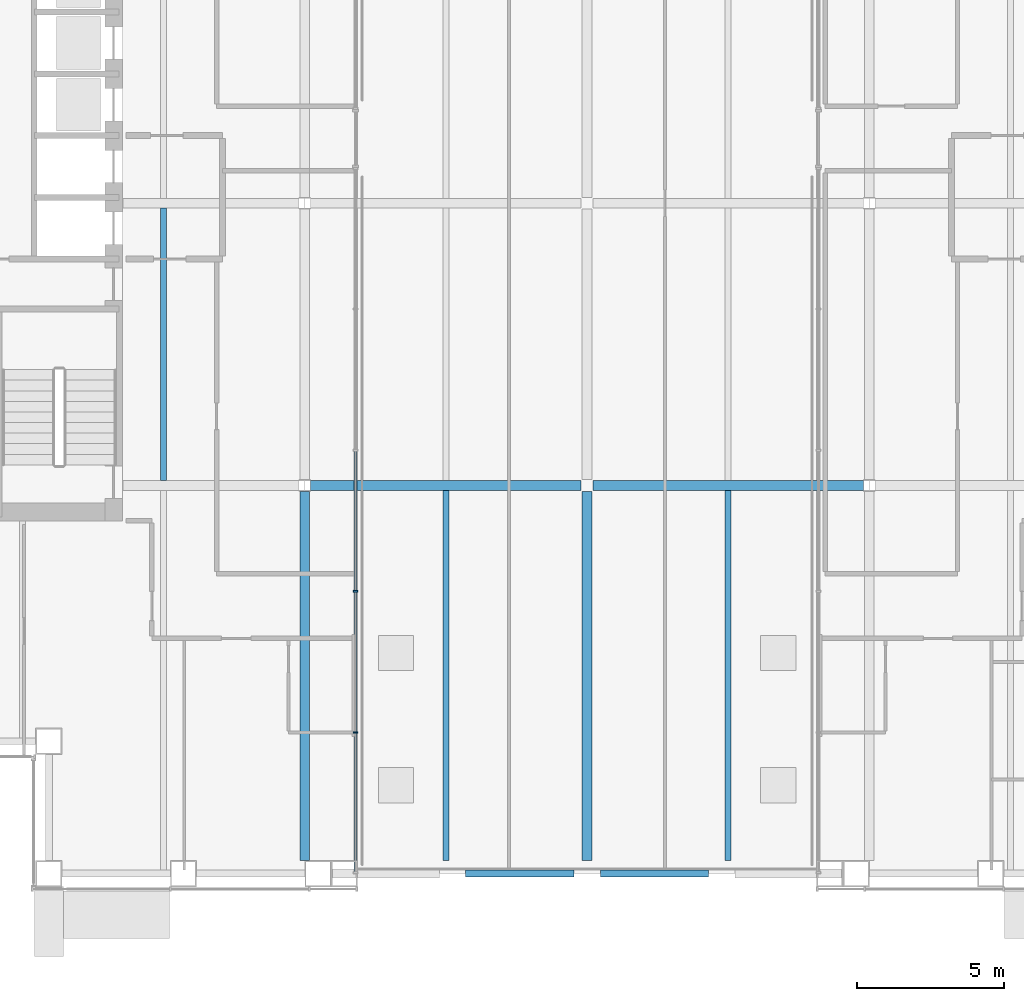
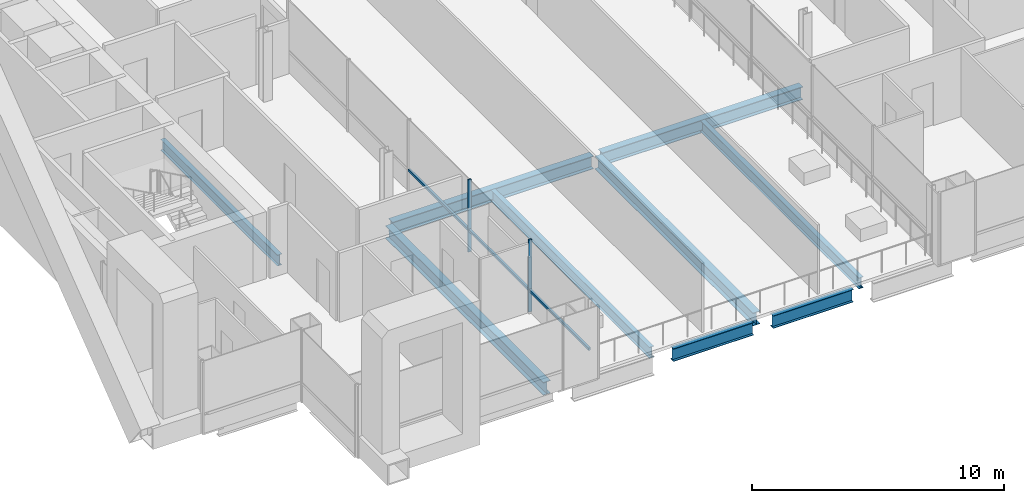
# One storey, part 3 of 20: 9 beams, 5 members, 1 element without a shape of its own.
"""IFC4 building model written with IfcOpenShell, lengths in metres."""

from ifc_helpers import new_model, si_unit, direction, frame, origin, origin_2d, place, context, subcontext, project, spatial, rectangle, i_section, extrude, material, material_profile, profile_set, type_object, element, aggregate, save


model = new_model("IFC4")

# Units and contexts
model_context = context("Model", 3, precision=1e-05, world=origin(), true_north=direction((0.0, 1.0)))
body_context = subcontext(model_context, "Body", "Model", "MODEL_VIEW")
ifc_project = project(units=[si_unit("LENGTHUNIT", "METRE"), si_unit("AREAUNIT", "SQUARE_METRE"), si_unit("VOLUMEUNIT", "CUBIC_METRE"), si_unit("PLANEANGLEUNIT", "RADIAN"), si_unit("MASSUNIT", "GRAM", prefix="KILO")], contexts=[model_context])

# Site, building, storey
site_placement = place(None, origin())
site = spatial("IfcSite", under=ifc_project, at=site_placement, CompositionType="ELEMENT")
building_placement = place(site_placement, origin())
building = spatial("IfcBuilding", under=site, at=building_placement, Name="Cobrizo Arcos Hotel Tower", CompositionType="ELEMENT")
storey_placement = place(building_placement, frame((0.0, 0.0, 117.0)))
storey = spatial("IfcBuildingStorey", under=building, at=storey_placement, Name="L29", CompositionType="ELEMENT", Elevation=117.0)

# Curtain wall, members
ifc_material_1 = material(Name="Aluminium 6063-T6 anodised bronze", Category="aluminium")
curtain_wall_type = type_object("IfcCurtainWallType", Name="CW-F void screen", PredefinedType="NOTDEFINED", material=ifc_material_1)
curtain_wall_placement = place(storey_placement, origin())
curtain_wall = element("IfcCurtainWall", 1, at=curtain_wall_placement, inside=storey, type_object=curtain_wall_type, Name="CW-F L29 void screen B", PredefinedType="NOTDEFINED")
ifc_material_profile_1 = material_profile(ifc_material_1, rectangle(XDim=0.14990234375, YDim=0.06005859375, at=origin_2d()), Name="CW-F mullion 150x60")
ifc_profile_set_1 = profile_set([ifc_material_profile_1], Name="Aluminium 6063-T6 anodised bronze")
member_type_1 = type_object("IfcMemberType", Name="CW-F mullion 150x60", PredefinedType="MULLION", material=ifc_profile_set_1)
member_1_placement = place(storey_placement, frame((-7.875, -13.199951171875, 0.0), z_axis=(0.0, 0.0, 1.0), x_axis=(-1.0, 0.0, 0.0)))
member_1 = element("IfcMember", 2, at=member_1_placement, type_object=member_type_1, Name="CW-F mullion 4", PredefinedType="MULLION", context=body_context, shape_type="SweptSolid", body=[
    extrude(rectangle(XDim=0.14990234375, YDim=0.06005859375, at=origin_2d()), origin(), (0.0, 0.0, 1.0), 3.5),
])
member_2_placement = place(storey_placement, frame((-7.875, -18.0, 0.0), z_axis=(0.0, 0.0, 1.0), x_axis=(-1.0, 0.0, 0.0)))
member_2 = element("IfcMember", 3, at=member_2_placement, type_object=member_type_1, Name="CW-F mullion 5", PredefinedType="MULLION", context=body_context, shape_type="SweptSolid", body=[
    extrude(rectangle(XDim=0.14990234375, YDim=0.06005859375, at=origin_2d()), origin(), (0.0, 0.0, 1.0), 3.5),
])
ifc_material_profile_2 = material_profile(ifc_material_1, rectangle(XDim=0.10009765625, YDim=0.1201171875, at=origin_2d()), Name="CW-F transom 120x100")
ifc_profile_set_2 = profile_set([ifc_material_profile_2], Name="Aluminium 6063-T6 anodised bronze")
member_type_2 = type_object("IfcMemberType", Name="CW-F transom 120x100", PredefinedType="USERDEFINED", material=ifc_profile_set_2)
member_3_placement = place(storey_placement, frame((-7.875, -8.429931640625, 1.050048828125), z_axis=(0.0, -1.0, 0.0), x_axis=(1.0, 0.0, 0.0)))
member_3 = element("IfcMember", 4, at=member_3_placement, type_object=member_type_2, Name="CW-F transom 2583", ObjectType="TRANSOM", PredefinedType="USERDEFINED", context=body_context, shape_type="SweptSolid", body=[
    extrude(rectangle(XDim=0.10009765625, YDim=0.1201171875, at=origin_2d()), origin(), (0.0, 0.0, 1.0), 4.739990234375),
])
member_4_placement = place(storey_placement, frame((-7.875, -13.22998046875, 1.050048828125), z_axis=(0.0, -1.0, 0.0), x_axis=(1.0, 0.0, 0.0)))
member_4 = element("IfcMember", 5, at=member_4_placement, type_object=member_type_2, Name="CW-F transom 2584", ObjectType="TRANSOM", PredefinedType="USERDEFINED", context=body_context, shape_type="SweptSolid", body=[
    extrude(rectangle(XDim=0.10009765625, YDim=0.1201171875, at=origin_2d()), origin(), (0.0, 0.0, 1.0), 4.739990234375),
])
member_5_placement = place(storey_placement, frame((-7.875, -18.030029296875, 1.050048828125), z_axis=(0.0, -1.0, 0.0), x_axis=(1.0, 0.0, 0.0)))
member_5 = element("IfcMember", 6, at=member_5_placement, type_object=member_type_2, Name="CW-F transom 2585", ObjectType="TRANSOM", PredefinedType="USERDEFINED", context=body_context, shape_type="SweptSolid", body=[
    extrude(rectangle(XDim=0.10009765625, YDim=0.1201171875, at=origin_2d()), origin(), (0.0, 0.0, 1.0), 4.7099609375),
])
aggregate(curtain_wall, [member_1, member_2, member_3, member_4, member_5])

# Beams
ifc_material_2 = material(Name="Steel ASTM A992 Grade 50", Category="steel")
ifc_material_profile_3 = material_profile(ifc_material_2, i_section(OverallWidth=0.209228515625, OverallDepth=0.533447265625, WebThickness=0.01025390625, FlangeThickness=0.015625, at=origin_2d()), Name="W21X62")
ifc_profile_set_3 = profile_set([ifc_material_profile_3], Name="Steel ASTM A992 Grade 50")
beam_type_1 = type_object("IfcBeamType", Name="W21X62 joist", PredefinedType="JOIST", material=ifc_profile_set_3)
beam_placement = place(storey_placement, frame((-14.39990234375, -9.43603515625, -0.416748046875), z_axis=(0.0, 1.0, 0.0), x_axis=(-1.0, 0.0, 0.0)))
element("IfcBeam", 7, at=beam_placement, inside=storey, type_object=beam_type_1, Name="Floor joist J1, L29, no. 004", PredefinedType="JOIST", context=body_context, shape_type="SweptSolid", body=[
    extrude(i_section(OverallWidth=0.209228515625, OverallDepth=0.533447265625, WebThickness=0.01025390625, FlangeThickness=0.015625, at=origin_2d()), origin(), (0.0, 0.0, 1.0), 9.272216796875),
])
for number, where, z_axis, x_axis, name in (
    (8, (-4.800048828125, -22.35009765625, -0.416748046875), (0.0, 1.0, 0.0), (-1.0, 0.0, 0.0), "Floor joist J1, L29, no. 007"),
    (9, (4.800048828125, -22.35009765625, -0.416748046875), (0.0, 1.0, 0.0), (-1.0, 0.0, 0.0), "Floor joist J1, L29, no. 011"),
):
    element("IfcBeam", number, at=place(storey_placement, frame(where, z_axis=z_axis, x_axis=x_axis)), inside=storey, type_object=beam_type_1, Name=name, PredefinedType="JOIST", context=body_context, shape_type="SweptSolid", body=[
        extrude(i_section(OverallWidth=0.209228515625, OverallDepth=0.533447265625, WebThickness=0.01025390625, FlangeThickness=0.015625, at=origin_2d()), origin(), (0.0, 0.0, 1.0), 12.586181640625),
    ])
ifc_material_profile_4 = material_profile(ifc_material_2, i_section(OverallWidth=0.32763671875, OverallDepth=0.622314453125, WebThickness=0.015380859375, FlangeThickness=0.0244140625, at=origin_2d()), Name="W24X131")
ifc_profile_set_4 = profile_set([ifc_material_profile_4], Name="Steel ASTM A992 Grade 50")
beam_type_2 = type_object("IfcBeamType", Name="W24X131 girder", PredefinedType="BEAM", material=ifc_profile_set_4)
for number, where, z_axis, x_axis, name in (
    (10, (-9.400634765625, -9.60009765625, -0.461181640625), (1.0, 0.0, 0.0), (0.0, 1.0, 0.0), "Floor girder G1, L29, no. 002"),
    (11, (0.199462890625, -9.60009765625, -0.461181640625), (1.0, 0.0, 0.0), (0.0, 1.0, 0.0), "Floor girder G1, L29, no. 003"),
):
    element("IfcBeam", number, at=place(storey_placement, frame(where, z_axis=z_axis, x_axis=x_axis)), inside=storey, type_object=beam_type_2, Name=name, PredefinedType="BEAM", context=body_context, shape_type="SweptSolid", body=[
        extrude(i_section(OverallWidth=0.32763671875, OverallDepth=0.622314453125, WebThickness=0.015380859375, FlangeThickness=0.0244140625, at=origin_2d()), origin(), (0.0, 0.0, 1.0), 9.201171875),
    ])
for number, where, z_axis, x_axis, name in (
    (12, (-9.60009765625, -22.35009765625, -0.461181640625), (0.0, 1.0, 0.0), (-1.0, 0.0, 0.0), "Floor girder G1, L29, no. 013"),
    (13, (0.0, -22.35009765625, -0.461181640625), (0.0, 1.0, 0.0), (-1.0, 0.0, 0.0), "Floor girder G1, L29, no. 017"),
):
    element("IfcBeam", number, at=place(storey_placement, frame(where, z_axis=z_axis, x_axis=x_axis)), inside=storey, type_object=beam_type_2, Name=name, PredefinedType="BEAM", context=body_context, shape_type="SweptSolid", body=[
        extrude(i_section(OverallWidth=0.32763671875, OverallDepth=0.622314453125, WebThickness=0.015380859375, FlangeThickness=0.0244140625, at=origin_2d()), origin(), (0.0, 0.0, 1.0), 12.55078125),
    ])
ifc_material_profile_5 = material_profile(ifc_material_2, i_section(OverallWidth=0.23046875, OverallDepth=0.6171875, WebThickness=0.01318359375, FlangeThickness=0.022216796875, at=origin_2d()), Name="W24X94")
ifc_profile_set_5 = profile_set([ifc_material_profile_5], Name="Steel ASTM A992 Grade 50")
beam_type_3 = type_object("IfcBeamType", Name="W24X94 spandrel", PredefinedType="SPANDREL", material=ifc_profile_set_5)
for number, where, z_axis, x_axis, name in (
    (14, (-4.125, -22.800048828125, -0.45849609375), (1.0, 0.0, 0.0), (0.0, 1.0, 0.0), "Spandrel beam W24X94, L29, no. 003"),
    (15, (0.449951171875, -22.800048828125, -0.45849609375), (1.0, 0.0, 0.0), (0.0, 1.0, 0.0), "Spandrel beam W24X94, L29, no. 004"),
):
    element("IfcBeam", number, at=place(storey_placement, frame(where, z_axis=z_axis, x_axis=x_axis)), inside=storey, type_object=beam_type_3, Name=name, PredefinedType="SPANDREL", context=body_context, shape_type="SweptSolid", body=[
        extrude(i_section(OverallWidth=0.23046875, OverallDepth=0.6171875, WebThickness=0.01318359375, FlangeThickness=0.022216796875, at=origin_2d()), origin(), (0.0, 0.0, 1.0), 3.675048828125),
    ])

save(model, "model.ifc")
